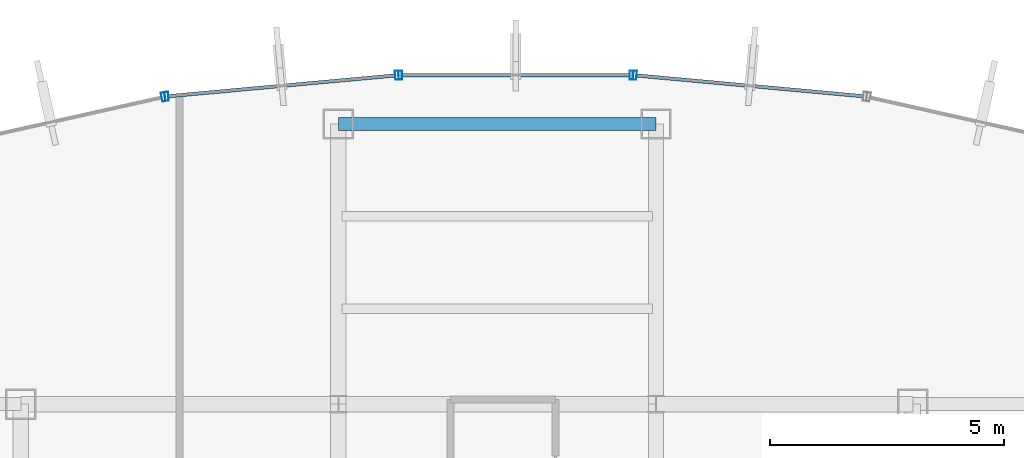
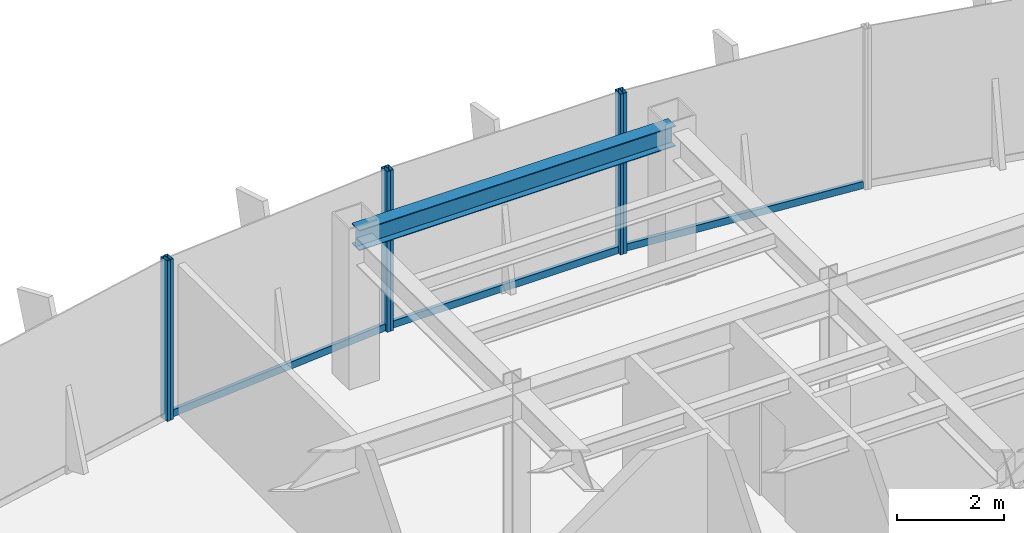
# One storey, part 16 of 25: 9 members, 1 beam, 4 elements without a shape of their own.
"""IFC4 building model written with IfcOpenShell, lengths in metres."""

import ifcopenshell
import ifcopenshell.guid

model = None  # the IFC model being written
_history = None  # IfcOwnerHistory: only IFC2X3 demands one
_inside = {}  # id of a spatial element -> (the spatial element, [elements in it])
_under = {}  # id of a project, library or spatial element -> (it, [spatial elements below it])
_declared = {}  # id of a project -> (the project, [libraries it declares])
_typed = {}  # id of a type object -> (the type object, [elements of that type])
_made_of = {}  # id of a material, layer set ... -> (it, [elements and type objects made of it])


def new_model(schema):
    """Start an empty IFC model of exactly this schema.

    Asked for "IFC4X3", IfcOpenShell would pick the latest addendum, in which some entities
    have other attributes; the version numbers below select the first issue.
    IFC2X3 requires an IfcOwnerHistory on every rooted entity: one is made here for all.
    """
    global model, _history
    if schema == "IFC4X3":
        model = ifcopenshell.file(schema_version=(4, 3, 0, 0))
    else:
        model = ifcopenshell.file(schema=schema)
    _inside.clear()
    _under.clear()
    _declared.clear()
    _typed.clear()
    _made_of.clear()
    _history = None
    if model.schema == "IFC2X3":
        org = make("IfcOrganization", Name="unknown")
        user = make(
            "IfcPersonAndOrganization",
            ThePerson=make("IfcPerson", FamilyName="unknown"),
            TheOrganization=org,
        )
        app = make(
            "IfcApplication",
            ApplicationDeveloper=org,
            Version="unknown",
            ApplicationFullName="unknown",
            ApplicationIdentifier="unknown",
        )
        _history = make(
            "IfcOwnerHistory",
            OwningUser=user,
            OwningApplication=app,
            ChangeAction="ADDED",
            CreationDate=0,
        )
    return model


def make(cls, **values):
    """One entity of the class cls with the attributes given. An attribute that is None is left unset."""
    return model.create_entity(
        cls, **{name: value for name, value in values.items() if value is not None}
    )


def rooted(cls, **values):
    """An entity with a GlobalId (a new one), such as an element, a storey or a relation."""
    return make(cls, GlobalId=ifcopenshell.guid.new(), OwnerHistory=_history, **values)


def si_unit(unit_type, name, prefix=None):
    """IfcSIUnit, for example si_unit("LENGTHUNIT", "METRE", prefix="MILLI")."""
    return make("IfcSIUnit", UnitType=unit_type, Prefix=prefix, Name=name)


def derived_unit(unit_type, elements):
    """IfcDerivedUnit: a product of units, each with its exponent."""
    return make(
        "IfcDerivedUnit",
        Elements=[
            make("IfcDerivedUnitElement", Unit=unit, Exponent=power)
            for unit, power in elements
        ],
        UnitType=unit_type,
    )


def assignment(units):
    """IfcUnitAssignment: the units of a project."""
    return None if units is None else make("IfcUnitAssignment", Units=units)


def point(xyz):
    """IfcCartesianPoint."""
    return None if xyz is None else make("IfcCartesianPoint", Coordinates=xyz)


def direction(xyz):
    """IfcDirection."""
    return None if xyz is None else make("IfcDirection", DirectionRatios=xyz)


def frame(location, z_axis=None, x_axis=None):
    """IfcAxis2Placement3D, a coordinate frame: its origin and axes. An axis left out is left unset."""
    return make(
        "IfcAxis2Placement3D",
        Location=point(location),
        Axis=direction(z_axis),
        RefDirection=direction(x_axis),
    )


def frame_2d(location, x_axis=None):
    """IfcAxis2Placement2D, a coordinate frame in the plane: its origin and x axis."""
    return make(
        "IfcAxis2Placement2D", Location=point(location), RefDirection=direction(x_axis)
    )


def origin():
    """The frame at (0, 0, 0) with its axes left unset."""
    return frame((0.0, 0.0, 0.0))


def origin_2d():
    """The frame at (0, 0) in the plane with its x axis left unset."""
    return frame_2d((0.0, 0.0))


def place(relative_to, where):
    """IfcLocalPlacement: puts the frame where relative to a parent placement (None: the world)."""
    return make(
        "IfcLocalPlacement", PlacementRelTo=relative_to, RelativePlacement=where
    )


def context(
    kind, dimensions, precision=None, world=None, true_north=None, identifier=None
):
    """IfcGeometricRepresentationContext, for example the 3D "Model" context."""
    return make(
        "IfcGeometricRepresentationContext",
        ContextIdentifier=identifier,
        ContextType=kind,
        CoordinateSpaceDimension=dimensions,
        Precision=precision,
        WorldCoordinateSystem=world,
        TrueNorth=true_north,
    )


def subcontext(parent, identifier, kind, view, scale=None):
    """IfcGeometricRepresentationSubContext, for example "Body" below "Model"."""
    return make(
        "IfcGeometricRepresentationSubContext",
        ContextIdentifier=identifier,
        ContextType=kind,
        ParentContext=parent,
        TargetScale=scale,
        TargetView=view,
    )


def project(units=None, contexts=None):
    """IfcProject with its units and contexts."""
    return rooted(
        "IfcProject",
        Name="project",
        RepresentationContexts=contexts,
        UnitsInContext=assignment(units),
    )


def spatial(cls, under=None, at=None, **own):
    """A site, building, storey or space (cls), placed at a placement, below another one or the project."""
    s = rooted(cls, ObjectPlacement=at, **own)
    if under is not None:
        _under.setdefault(under.id(), (under, []))[1].append(s)
    return s


def profile(cls, at=None, kind="AREA", **sizes):
    """A parametric profile (cls). Its sizes go by their IFC names, for example OverallWidth=200.0."""
    return make(cls, ProfileType=kind, Position=at, **sizes)


def hollow_rectangle(**sizes):
    """IfcRectangleHollowProfileDef."""
    return profile("IfcRectangleHollowProfileDef", **sizes)


def i_section(**sizes):
    """IfcIShapeProfileDef."""
    return profile("IfcIShapeProfileDef", **sizes)


def extrude(swept, where, along, depth):
    """IfcExtrudedAreaSolid: the profile swept, set in the frame where, extruded along a direction by depth."""
    return make(
        "IfcExtrudedAreaSolid",
        SweptArea=swept,
        Position=where,
        ExtrudedDirection=direction(along),
        Depth=depth,
    )


def shape(context_of_items, identifier, shape_type, items):
    """IfcShapeRepresentation: the items that make up one representation, for example the "Body"."""
    return make(
        "IfcShapeRepresentation",
        ContextOfItems=context_of_items,
        RepresentationIdentifier=identifier,
        RepresentationType=shape_type,
        Items=items,
    )


def source(mapping_origin, context_of_items, identifier, shape_type, items):
    """IfcRepresentationMap: a shape defined once, which mapped items show again and again."""
    return make(
        "IfcRepresentationMap",
        MappingOrigin=mapping_origin,
        MappedRepresentation=shape(context_of_items, identifier, shape_type, items),
    )


def transform(
    local_origin,
    x_axis=None,
    y_axis=None,
    z_axis=None,
    scale=None,
    scale2=None,
    scale3=None,
    uniform=True,
):
    """IfcCartesianTransformationOperator3D, or its non-uniform kind. x_axis, y_axis, z_axis: its Axis1, 2, 3."""
    if uniform:
        return make(
            "IfcCartesianTransformationOperator3D",
            Axis1=direction(x_axis),
            Axis2=direction(y_axis),
            LocalOrigin=point(local_origin),
            Scale=scale,
            Axis3=direction(z_axis),
        )
    return make(
        "IfcCartesianTransformationOperator3DnonUniform",
        Axis1=direction(x_axis),
        Axis2=direction(y_axis),
        LocalOrigin=point(local_origin),
        Scale=scale,
        Axis3=direction(z_axis),
        Scale2=scale2,
        Scale3=scale3,
    )


def mapped(mapping_source, mapping_target):
    """IfcMappedItem: shows the shape of a source again, moved by a transform."""
    return make(
        "IfcMappedItem", MappingSource=mapping_source, MappingTarget=mapping_target
    )


def material(Name=None, Category=None):
    """IfcMaterial."""
    return make("IfcMaterial", Name=Name, Category=Category)


def material_profile(
    of_material, cross_section, Name=None, Category=None, Priority=None
):
    """IfcMaterialProfile: a cross section and its material."""
    return make(
        "IfcMaterialProfile",
        Name=Name,
        Material=of_material,
        Profile=cross_section,
        Priority=Priority,
        Category=Category,
    )


def profile_set(profiles, Name=None, composite=None):
    """IfcMaterialProfileSet."""
    return make(
        "IfcMaterialProfileSet",
        Name=Name,
        MaterialProfiles=profiles,
        CompositeProfile=composite,
    )


def made_of(thing, what):
    """Note that an element or type object is made of a material, layer set ...; save() writes the relation."""
    if what is not None:
        _made_of.setdefault(what.id(), (what, []))[1].append(thing)
    return thing


def type_object(cls, material=None, **own):
    """A type object (cls), such as IfcWallType, which elements share."""
    return made_of(rooted(cls, **own), material)


def element(
    cls,
    number,
    at=None,
    inside=None,
    cuts=None,
    type_object=None,
    material=None,
    context=None,
    identifier="Body",
    shape_type=None,
    held_by="IfcProductDefinitionShape",
    body=None,
    shapes=None,
    **own,
):
    """One element of the class cls, such as IfcWall. Its Tag is "e" and its number.

    at: its placement. inside: the storey or other place that contains it. cuts: it is an
    opening in that element (IfcRelVoidsElement). A single representation is given by context,
    identifier, shape_type and body (its items); several are given by shapes. held_by: the class
    of the entity that holds the representations. save() writes the other relations.
    """
    e = rooted(cls, Tag="e%d" % number, ObjectPlacement=at, **own)
    if body is not None:
        shapes = [shape(context, identifier, shape_type, body)]
    if shapes is not None:
        e.Representation = make(held_by, Representations=shapes)
    if inside is not None:
        _inside.setdefault(inside.id(), (inside, []))[1].append(e)
    if cuts is not None:
        rooted(
            "IfcRelVoidsElement", RelatingBuildingElement=cuts, RelatedOpeningElement=e
        )
    if type_object is not None:
        _typed.setdefault(type_object.id(), (type_object, []))[1].append(e)
    return made_of(e, material)


def aggregate(whole, parts):
    """IfcRelAggregates: a whole, such as a stair, and the parts it consists of."""
    return rooted("IfcRelAggregates", RelatingObject=whole, RelatedObjects=parts)


def save(model, path):
    """Write the relations noted so far, then the file.

    IfcRelAggregates (storeys below a building ...), IfcRelContainedInSpatialStructure (elements
    in a storey), IfcRelDefinesByType, IfcRelAssociatesMaterial and IfcRelDeclares: one each for
    every whole, place, type object, material and project.
    """
    for whole, parts in _under.values():
        aggregate(whole, parts)
    for where, things in _inside.values():
        rooted(
            "IfcRelContainedInSpatialStructure",
            RelatedElements=things,
            RelatingStructure=where,
        )
    for kind, things in _typed.values():
        rooted("IfcRelDefinesByType", RelatedObjects=things, RelatingType=kind)
    for what, things in _made_of.values():
        rooted("IfcRelAssociatesMaterial", RelatedObjects=things, RelatingMaterial=what)
    for by, libraries in _declared.values():
        rooted("IfcRelDeclares", RelatingContext=by, RelatedDefinitions=libraries)
    model.write(path)


model = new_model("IFC4")

# Units and contexts
model_context = context("Model", 3, precision=1e-05, world=origin(), true_north=direction((0.0, 1.0)))
body_context = subcontext(model_context, "Body", "Model", "MODEL_VIEW")
ifc_project = project(units=[si_unit("LENGTHUNIT", "METRE"), si_unit("AREAUNIT", "SQUARE_METRE"), si_unit("VOLUMEUNIT", "CUBIC_METRE"), si_unit("PLANEANGLEUNIT", "RADIAN"), si_unit("MASSUNIT", "GRAM", prefix="KILO"), derived_unit("THERMALTRANSMITTANCEUNIT", [(si_unit("POWERUNIT", "WATT"), 1), (si_unit("LENGTHUNIT", "METRE"), -2), (si_unit("THERMODYNAMICTEMPERATUREUNIT", "KELVIN"), -1)])], contexts=[model_context])

# Site, building, storey
site_placement = place(None, origin())
site = spatial("IfcSite", under=ifc_project, at=site_placement, CompositionType="ELEMENT")
building_placement = place(site_placement, origin())
building = spatial("IfcBuilding", under=site, at=building_placement, Name="Skarnbrae Concourse Arena and Tower", CompositionType="ELEMENT")
storey_placement = place(building_placement, frame((0.0, 0.0, 177.10009765625)))
storey = spatial("IfcBuildingStorey", under=building, at=storey_placement, Name="L45", CompositionType="ELEMENT", Elevation=177.10009765625)

# Beam
ifc_material_1 = material(Name="Steel CSA G40.21 350W", Category="steel")
ifc_material_profile_1 = material_profile(ifc_material_1, i_section(OverallWidth=0.280029296875, OverallDepth=0.462890625, WebThickness=0.0107421875, FlangeThickness=0.017333984375, at=origin_2d()), Name="W460X113")
ifc_profile_set_1 = profile_set([ifc_material_profile_1], Name="Steel CSA G40.21 350W")
beam_type = type_object("IfcBeamType", Name="BM-SPAN-W460X113", PredefinedType="SPANDREL", material=ifc_profile_set_1)
shared_shape_1 = source(origin(), body_context, "Body", "SweptSolid", [
    extrude(i_section(OverallWidth=0.280029296875, OverallDepth=0.462890625, WebThickness=0.0107421875, FlangeThickness=0.017333984375, at=origin_2d()), origin(), (0.0, 0.0, 1.0), 6.800048828125),
])
beam_placement = place(storey_placement, frame((21.199951171875, 40.39990234375, 3.16845703125), z_axis=(1.0, 0.0, 0.0), x_axis=(0.0, 1.0, 0.0)))
element("IfcBeam", 1, at=beam_placement, inside=storey, type_object=beam_type, Name="L45 Perimeter spandrel Y40.4-1", PredefinedType="SPANDREL", context=body_context, shape_type="MappedRepresentation", body=[
    mapped(shared_shape_1, transform((0.0, 0.0, 0.0))),
])

# Curtain wall, member
ifc_material_2 = material(Name="Bronze anodised aluminium 6063-T6", Category="aluminium")
curtain_wall_type = type_object("IfcCurtainWallType", Name="CW-SYS-04-MIDZONE", PredefinedType="USERDEFINED", material=ifc_material_2)
curtain_wall_1_placement = place(storey_placement, origin())
curtain_wall_1 = element("IfcCurtainWall", 2, at=curtain_wall_1_placement, inside=storey, type_object=curtain_wall_type, Name="L45 Unitised curtain wall CW-L45-E10", ObjectType="UNITISED CURTAIN WALL", PredefinedType="USERDEFINED")
ifc_material_profile_2 = material_profile(ifc_material_2, hollow_rectangle(XDim=0.074951171875, YDim=0.195068359375, WallThickness=0.00439453125, at=origin_2d()), Name="ALU-MULL-75X195")
ifc_profile_set_2 = profile_set([ifc_material_profile_2], Name="Bronze anodised aluminium 6063-T6")
member_type_1 = type_object("IfcMemberType", Name="CWM-CW-04", PredefinedType="MULLION", material=ifc_profile_set_2)
shared_shape_2 = source(origin(), body_context, "Body", "SweptSolid", [
    extrude(hollow_rectangle(XDim=0.074951171875, YDim=0.195068359375, WallThickness=0.00439453125, at=origin_2d()), origin(), (0.0, 0.0, 1.0), 3.64990234375),
])
member_1_placement = place(storey_placement, frame((27.548583984375, 41.442138671875, 0.0), z_axis=(0.0, 0.0, 1.0), x_axis=(-0.995819926016, 0.091338244731, 0.0)))
member_1 = element("IfcMember", 3, at=member_1_placement, type_object=member_type_1, Name="CW-L45-E10 Mullion 2", PredefinedType="MULLION", context=body_context, shape_type="MappedRepresentation", body=[
    mapped(shared_shape_2, transform((0.0, 0.0, 0.0))),
])

# Curtain wall, members
curtain_wall_2_placement = place(storey_placement, origin())
curtain_wall_2 = element("IfcCurtainWall", 4, at=curtain_wall_2_placement, inside=storey, type_object=curtain_wall_type, Name="L45 Unitised curtain wall CW-L45-E11", ObjectType="UNITISED CURTAIN WALL", PredefinedType="USERDEFINED")
member_2_placement = place(storey_placement, frame((27.473876953125, 41.445556640625, 0.0), z_axis=(0.0, 0.0, 1.0), x_axis=(-1.0, 0.0, 0.0)))
member_2 = element("IfcMember", 5, at=member_2_placement, type_object=member_type_1, Name="CW-L45-E11 Mullion 1", PredefinedType="MULLION", context=body_context, shape_type="MappedRepresentation", body=[
    mapped(shared_shape_2, transform((0.0, 0.0, 0.0))),
])
member_3_placement = place(storey_placement, frame((22.526123046875, 41.445556640625, 0.0), z_axis=(0.0, 0.0, 1.0), x_axis=(-1.0, 0.0, 0.0)))
member_3 = element("IfcMember", 6, at=member_3_placement, type_object=member_type_1, Name="CW-L45-E11 Mullion 2", PredefinedType="MULLION", context=body_context, shape_type="MappedRepresentation", body=[
    mapped(shared_shape_2, transform((0.0, 0.0, 0.0))),
])

curtain_wall_3_placement = place(storey_placement, origin())
curtain_wall_3 = element("IfcCurtainWall", 7, at=curtain_wall_3_placement, inside=storey, type_object=curtain_wall_type, Name="L45 Unitised curtain wall CW-L45-E12", ObjectType="UNITISED CURTAIN WALL", PredefinedType="USERDEFINED")
member_4_placement = place(storey_placement, frame((22.451416015625, 41.442138671875, 0.0), z_axis=(0.0, 0.0, 1.0), x_axis=(-0.995819926016, -0.091338244731, 0.0)))
member_4 = element("IfcMember", 8, at=member_4_placement, type_object=member_type_1, Name="CW-L45-E12 Mullion 1", PredefinedType="MULLION", context=body_context, shape_type="MappedRepresentation", body=[
    mapped(shared_shape_2, transform((0.0, 0.0, 0.0))),
])
member_5_placement = place(storey_placement, frame((17.52490234375, 40.990234375, 0.0), z_axis=(0.0, 0.0, 1.0), x_axis=(-0.995819926016, -0.091338244731, 0.0)))
member_5 = element("IfcMember", 9, at=member_5_placement, type_object=member_type_1, Name="CW-L45-E12 Mullion 2", PredefinedType="MULLION", context=body_context, shape_type="MappedRepresentation", body=[
    mapped(shared_shape_2, transform((0.0, 0.0, 0.0))),
])

# Curtain wall, member
curtain_wall_4_placement = place(storey_placement, origin())
curtain_wall_4 = element("IfcCurtainWall", 10, at=curtain_wall_4_placement, inside=storey, type_object=curtain_wall_type, Name="L45 Unitised curtain wall CW-L45-E13", ObjectType="UNITISED CURTAIN WALL", PredefinedType="USERDEFINED")
member_6_placement = place(storey_placement, frame((17.451171875, 40.978759765625, 0.0), z_axis=(0.0, 0.0, 1.0), x_axis=(-0.975936175393, -0.218056372433, 0.0)))
member_6 = element("IfcMember", 11, at=member_6_placement, type_object=member_type_1, Name="CW-L45-E13 Mullion 1", PredefinedType="MULLION", context=body_context, shape_type="MappedRepresentation", body=[
    mapped(shared_shape_2, transform((0.0, 0.0, 0.0))),
])
aggregate(curtain_wall_4, [member_6])

# Member
ifc_material_profile_3 = material_profile(ifc_material_2, hollow_rectangle(XDim=0.074951171875, YDim=0.159912109375, WallThickness=0.00439453125, at=origin_2d()), Name="ALU-TRAN-75X160")
ifc_profile_set_3 = profile_set([ifc_material_profile_3], Name="Bronze anodised aluminium 6063-T6")
member_type_2 = type_object("IfcMemberType", Name="CWT-CW-04", PredefinedType="USERDEFINED", material=ifc_profile_set_3)
shared_shape_3 = source(origin(), body_context, "Body", "SweptSolid", [
    extrude(hollow_rectangle(XDim=0.074951171875, YDim=0.159912109375, WallThickness=0.00439453125, at=origin_2d()), origin(), (0.0, 0.0, 1.0), 4.871826171875),
])
member_7_placement = place(storey_placement, frame((32.4375, 40.993896484375, 0.079833984375), z_axis=(-0.99582308224, 0.091303827287, 0.0), x_axis=(-0.091303827287, -0.99582308224, 0.0)))
member_7 = element("IfcMember", 12, at=member_7_placement, type_object=member_type_2, Name="CW-L45-E10 Transom 1", ObjectType="TRANSOM", PredefinedType="USERDEFINED", context=body_context, shape_type="MappedRepresentation", body=[
    mapped(shared_shape_3, transform((0.0, 0.0, 0.0))),
])

aggregate(curtain_wall_1, [member_1, member_7])

member_8_placement = place(storey_placement, frame((22.4140625, 41.438720703125, 0.079833984375), z_axis=(-0.99582308224, -0.091303827287, 0.0), x_axis=(0.091303827287, -0.99582308224, 0.0)))
member_8 = element("IfcMember", 13, at=member_8_placement, type_object=member_type_2, Name="CW-L45-E12 Transom 1", ObjectType="TRANSOM", PredefinedType="USERDEFINED", context=body_context, shape_type="MappedRepresentation", body=[
    mapped(shared_shape_3, transform((0.0, 0.0, 0.0))),
])

aggregate(curtain_wall_3, [member_4, member_5, member_8])

shared_shape_4 = source(origin(), body_context, "Body", "SweptSolid", [
    extrude(hollow_rectangle(XDim=0.074951171875, YDim=0.159912109375, WallThickness=0.00439453125, at=origin_2d()), origin(), (0.0, 0.0, 1.0), 4.87255859375),
])
member_9_placement = place(storey_placement, frame((27.436279296875, 41.445556640625, 0.079833984375), z_axis=(-1.0, 0.0, 0.0), x_axis=(0.0, -1.0, 0.0)))
member_9 = element("IfcMember", 14, at=member_9_placement, type_object=member_type_2, Name="CW-L45-E11 Transom 1", ObjectType="TRANSOM", PredefinedType="USERDEFINED", context=body_context, shape_type="MappedRepresentation", body=[
    mapped(shared_shape_4, transform((0.0, 0.0, 0.0))),
])

aggregate(curtain_wall_2, [member_2, member_3, member_9])

save(model, "model.ifc")
